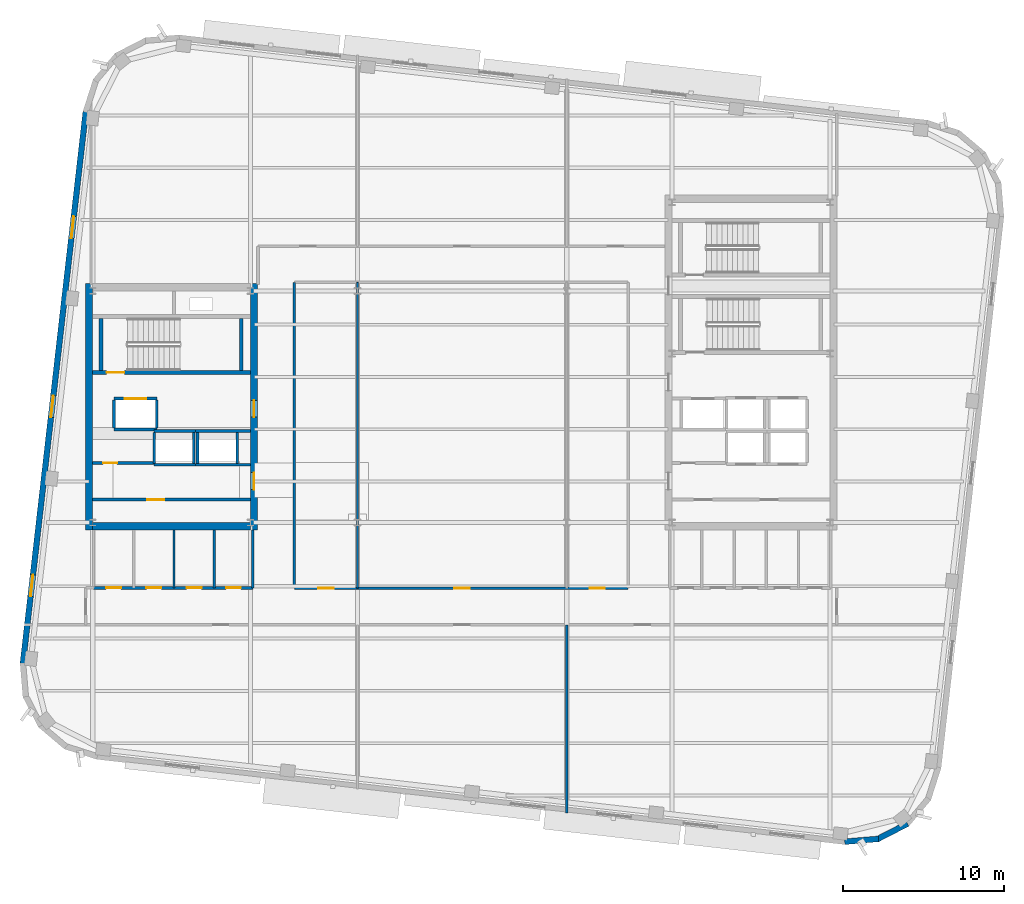
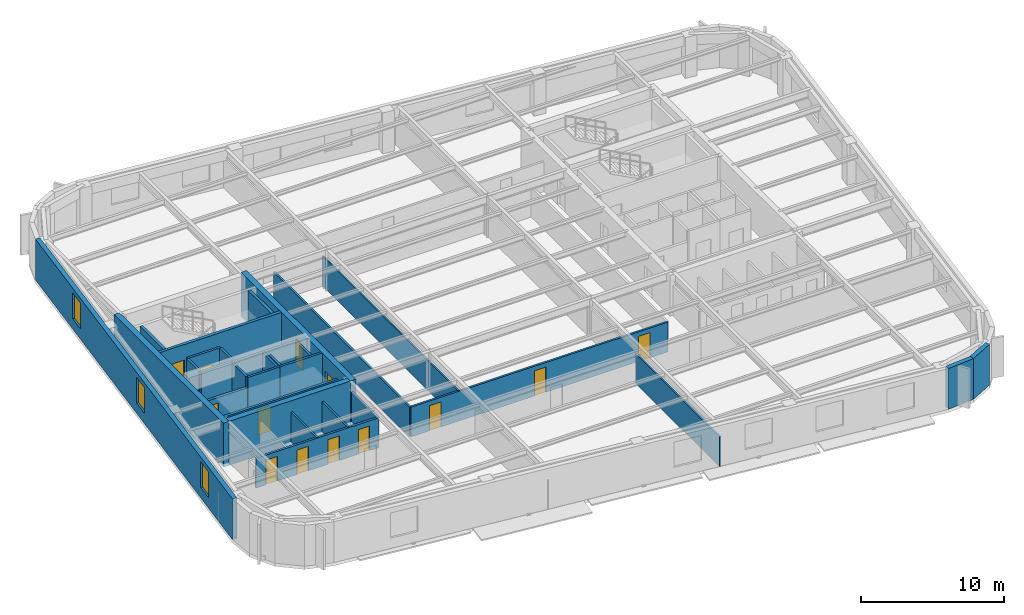
# One storey, part 6 of 14: 31 walls, 13 doors, 3 windows, 16 openings.
"""IFC4 building model written with IfcOpenShell, lengths in metres."""

import ifcopenshell
import ifcopenshell.guid

model = None  # the IFC model being written
_history = None  # IfcOwnerHistory: only IFC2X3 demands one
_inside = {}  # id of a spatial element -> (the spatial element, [elements in it])
_under = {}  # id of a project, library or spatial element -> (it, [spatial elements below it])
_declared = {}  # id of a project -> (the project, [libraries it declares])
_typed = {}  # id of a type object -> (the type object, [elements of that type])
_made_of = {}  # id of a material, layer set ... -> (it, [elements and type objects made of it])


def new_model(schema):
    """Start an empty IFC model of exactly this schema.

    Asked for "IFC4X3", IfcOpenShell would pick the latest addendum, in which some entities
    have other attributes; the version numbers below select the first issue.
    IFC2X3 requires an IfcOwnerHistory on every rooted entity: one is made here for all.
    """
    global model, _history
    if schema == "IFC4X3":
        model = ifcopenshell.file(schema_version=(4, 3, 0, 0))
    else:
        model = ifcopenshell.file(schema=schema)
    _inside.clear()
    _under.clear()
    _declared.clear()
    _typed.clear()
    _made_of.clear()
    _history = None
    if model.schema == "IFC2X3":
        org = make("IfcOrganization", Name="unknown")
        user = make(
            "IfcPersonAndOrganization",
            ThePerson=make("IfcPerson", FamilyName="unknown"),
            TheOrganization=org,
        )
        app = make(
            "IfcApplication",
            ApplicationDeveloper=org,
            Version="unknown",
            ApplicationFullName="unknown",
            ApplicationIdentifier="unknown",
        )
        _history = make(
            "IfcOwnerHistory",
            OwningUser=user,
            OwningApplication=app,
            ChangeAction="ADDED",
            CreationDate=0,
        )
    return model


def make(cls, **values):
    """One entity of the class cls with the attributes given. An attribute that is None is left unset."""
    return model.create_entity(
        cls, **{name: value for name, value in values.items() if value is not None}
    )


def rooted(cls, **values):
    """An entity with a GlobalId (a new one), such as an element, a storey or a relation."""
    return make(cls, GlobalId=ifcopenshell.guid.new(), OwnerHistory=_history, **values)


def si_unit(unit_type, name, prefix=None):
    """IfcSIUnit, for example si_unit("LENGTHUNIT", "METRE", prefix="MILLI")."""
    return make("IfcSIUnit", UnitType=unit_type, Prefix=prefix, Name=name)


def assignment(units):
    """IfcUnitAssignment: the units of a project."""
    return None if units is None else make("IfcUnitAssignment", Units=units)


def point(xyz):
    """IfcCartesianPoint."""
    return None if xyz is None else make("IfcCartesianPoint", Coordinates=xyz)


def direction(xyz):
    """IfcDirection."""
    return None if xyz is None else make("IfcDirection", DirectionRatios=xyz)


def frame(location, z_axis=None, x_axis=None):
    """IfcAxis2Placement3D, a coordinate frame: its origin and axes. An axis left out is left unset."""
    return make(
        "IfcAxis2Placement3D",
        Location=point(location),
        Axis=direction(z_axis),
        RefDirection=direction(x_axis),
    )


def frame_2d(location, x_axis=None):
    """IfcAxis2Placement2D, a coordinate frame in the plane: its origin and x axis."""
    return make(
        "IfcAxis2Placement2D", Location=point(location), RefDirection=direction(x_axis)
    )


def origin():
    """The frame at (0, 0, 0) with its axes left unset."""
    return frame((0.0, 0.0, 0.0))


def place(relative_to, where):
    """IfcLocalPlacement: puts the frame where relative to a parent placement (None: the world)."""
    return make(
        "IfcLocalPlacement", PlacementRelTo=relative_to, RelativePlacement=where
    )


def context(
    kind, dimensions, precision=None, world=None, true_north=None, identifier=None
):
    """IfcGeometricRepresentationContext, for example the 3D "Model" context."""
    return make(
        "IfcGeometricRepresentationContext",
        ContextIdentifier=identifier,
        ContextType=kind,
        CoordinateSpaceDimension=dimensions,
        Precision=precision,
        WorldCoordinateSystem=world,
        TrueNorth=true_north,
    )


def subcontext(parent, identifier, kind, view, scale=None):
    """IfcGeometricRepresentationSubContext, for example "Body" below "Model"."""
    return make(
        "IfcGeometricRepresentationSubContext",
        ContextIdentifier=identifier,
        ContextType=kind,
        ParentContext=parent,
        TargetScale=scale,
        TargetView=view,
    )


def project(units=None, contexts=None):
    """IfcProject with its units and contexts."""
    return rooted(
        "IfcProject",
        Name="project",
        RepresentationContexts=contexts,
        UnitsInContext=assignment(units),
    )


def spatial(cls, under=None, at=None, **own):
    """A site, building, storey or space (cls), placed at a placement, below another one or the project."""
    s = rooted(cls, ObjectPlacement=at, **own)
    if under is not None:
        _under.setdefault(under.id(), (under, []))[1].append(s)
    return s


def profile(cls, at=None, kind="AREA", **sizes):
    """A parametric profile (cls). Its sizes go by their IFC names, for example OverallWidth=200.0."""
    return make(cls, ProfileType=kind, Position=at, **sizes)


def rectangle(**sizes):
    """IfcRectangleProfileDef."""
    return profile("IfcRectangleProfileDef", **sizes)


def extrude(swept, where, along, depth):
    """IfcExtrudedAreaSolid: the profile swept, set in the frame where, extruded along a direction by depth."""
    return make(
        "IfcExtrudedAreaSolid",
        SweptArea=swept,
        Position=where,
        ExtrudedDirection=direction(along),
        Depth=depth,
    )


def shape(context_of_items, identifier, shape_type, items):
    """IfcShapeRepresentation: the items that make up one representation, for example the "Body"."""
    return make(
        "IfcShapeRepresentation",
        ContextOfItems=context_of_items,
        RepresentationIdentifier=identifier,
        RepresentationType=shape_type,
        Items=items,
    )


def material(Name=None, Category=None):
    """IfcMaterial."""
    return make("IfcMaterial", Name=Name, Category=Category)


def layer(
    of_material, thickness, ventilated=None, Name=None, Category=None, Priority=None
):
    """IfcMaterialLayer: one layer of a wall or slab, of a material (None: an air gap)."""
    return make(
        "IfcMaterialLayer",
        Material=of_material,
        LayerThickness=thickness,
        IsVentilated=ventilated,
        Name=Name,
        Category=Category,
        Priority=Priority,
    )


def layer_set(layers, Name=None):
    """IfcMaterialLayerSet."""
    return make("IfcMaterialLayerSet", MaterialLayers=layers, LayerSetName=Name)


def made_of(thing, what):
    """Note that an element or type object is made of a material, layer set ...; save() writes the relation."""
    if what is not None:
        _made_of.setdefault(what.id(), (what, []))[1].append(thing)
    return thing


def type_object(cls, material=None, **own):
    """A type object (cls), such as IfcWallType, which elements share."""
    return made_of(rooted(cls, **own), material)


def element(
    cls,
    number,
    at=None,
    inside=None,
    cuts=None,
    type_object=None,
    material=None,
    context=None,
    identifier="Body",
    shape_type=None,
    held_by="IfcProductDefinitionShape",
    body=None,
    shapes=None,
    **own,
):
    """One element of the class cls, such as IfcWall. Its Tag is "e" and its number.

    at: its placement. inside: the storey or other place that contains it. cuts: it is an
    opening in that element (IfcRelVoidsElement). A single representation is given by context,
    identifier, shape_type and body (its items); several are given by shapes. held_by: the class
    of the entity that holds the representations. save() writes the other relations.
    """
    e = rooted(cls, Tag="e%d" % number, ObjectPlacement=at, **own)
    if body is not None:
        shapes = [shape(context, identifier, shape_type, body)]
    if shapes is not None:
        e.Representation = make(held_by, Representations=shapes)
    if inside is not None:
        _inside.setdefault(inside.id(), (inside, []))[1].append(e)
    if cuts is not None:
        rooted(
            "IfcRelVoidsElement", RelatingBuildingElement=cuts, RelatedOpeningElement=e
        )
    if type_object is not None:
        _typed.setdefault(type_object.id(), (type_object, []))[1].append(e)
    return made_of(e, material)


def fill(opening, filler):
    """IfcRelFillsElement: the door or window that sits in an opening."""
    return rooted(
        "IfcRelFillsElement",
        RelatingOpeningElement=opening,
        RelatedBuildingElement=filler,
    )


def aggregate(whole, parts):
    """IfcRelAggregates: a whole, such as a stair, and the parts it consists of."""
    return rooted("IfcRelAggregates", RelatingObject=whole, RelatedObjects=parts)


def save(model, path):
    """Write the relations noted so far, then the file.

    IfcRelAggregates (storeys below a building ...), IfcRelContainedInSpatialStructure (elements
    in a storey), IfcRelDefinesByType, IfcRelAssociatesMaterial and IfcRelDeclares: one each for
    every whole, place, type object, material and project.
    """
    for whole, parts in _under.values():
        aggregate(whole, parts)
    for where, things in _inside.values():
        rooted(
            "IfcRelContainedInSpatialStructure",
            RelatedElements=things,
            RelatingStructure=where,
        )
    for kind, things in _typed.values():
        rooted("IfcRelDefinesByType", RelatedObjects=things, RelatingType=kind)
    for what, things in _made_of.values():
        rooted("IfcRelAssociatesMaterial", RelatedObjects=things, RelatingMaterial=what)
    for by, libraries in _declared.values():
        rooted("IfcRelDeclares", RelatingContext=by, RelatedDefinitions=libraries)
    model.write(path)


model = new_model("IFC4")

# Units and contexts
model_context = context("Model", 3, precision=1e-05, world=origin(), true_north=direction((0.0, 1.0)))
body_context = subcontext(model_context, "Body", "Model", "MODEL_VIEW")
ifc_project = project(units=[si_unit("LENGTHUNIT", "METRE"), si_unit("AREAUNIT", "SQUARE_METRE"), si_unit("VOLUMEUNIT", "CUBIC_METRE"), si_unit("PLANEANGLEUNIT", "RADIAN"), si_unit("MASSUNIT", "GRAM", prefix="KILO")], contexts=[model_context])

# Site, building, storey
site_placement = place(None, origin())
site = spatial("IfcSite", under=ifc_project, at=site_placement, CompositionType="ELEMENT")
building_placement = place(site_placement, origin())
building = spatial("IfcBuilding", under=site, at=building_placement, Name="Kolvaren Arena Tower", CompositionType="ELEMENT")
storey_placement = place(building_placement, frame((0.0, 0.0, 235.949951171875)))
storey = spatial("IfcBuildingStorey", under=building, at=storey_placement, Name="L57", CompositionType="ELEMENT", Elevation=235.949951171875)

# Wall, openings, doors
ifc_material_1 = material(Name="Gypsum board acoustic assembly", Category="gypsum")
ifc_layer_1 = layer(ifc_material_1, 0.159912109375)
ifc_layer_set_1 = layer_set([ifc_layer_1], Name="Gypsum board acoustic assembly")
wall_type_1 = type_object("IfcWallType", Name="CORR-160", PredefinedType="PARTITIONING", material=ifc_layer_set_1)
wall_1_placement = place(storey_placement, frame((27.080078125, 15.3798828125, 0.0), z_axis=(0.0, 0.0, 1.0), x_axis=(1.0, 0.0, 0.0)))
wall_1 = element("IfcWall", 1, at=wall_1_placement, inside=storey, type_object=wall_type_1, Name="Interior Partition Wall (L57)", PredefinedType="PARTITIONING", context=body_context, shape_type="SweptSolid", body=[
    extrude(rectangle(XDim=20.739990234375, YDim=0.159912109375, at=frame_2d((10.3701171875, 0.0))), origin(), (0.0, 0.0, 1.0), 2.5400390625),
])
opening_1_placement = place(wall_1_placement, frame((1.4951171875, 0.0, 0.0)))
opening_1 = element("IfcOpeningElement", 2, at=opening_1_placement, cuts=wall_1, Name="Opening D05", PredefinedType="OPENING", context=body_context, shape_type="SweptSolid", body=[
    extrude(rectangle(XDim=0.949951171875, YDim=2.14990234375, at=frame_2d((0.47509765625, 1.074951171875))), frame((0.0, 0.08984375, 0.0), z_axis=(0.0, -1.0, 0.0), x_axis=(1.0, 0.0, 0.0)), (0.0, 0.0, 1.0), 0.179931640625),
])
opening_2_placement = place(wall_1_placement, frame((9.945068359375, 0.0, 0.0)))
opening_2 = element("IfcOpeningElement", 3, at=opening_2_placement, cuts=wall_1, Name="Opening D05", PredefinedType="OPENING", context=body_context, shape_type="SweptSolid", body=[
    extrude(rectangle(XDim=0.949951171875, YDim=2.14990234375, at=frame_2d((0.47509765625, 1.074951171875))), frame((0.0, 0.08984375, 0.0), z_axis=(0.0, -1.0, 0.0), x_axis=(1.0, 0.0, 0.0)), (0.0, 0.0, 1.0), 0.179931640625),
])
opening_3_placement = place(wall_1_placement, frame((18.344970703125, 0.0, 0.0)))
opening_3 = element("IfcOpeningElement", 4, at=opening_3_placement, cuts=wall_1, Name="Opening D05", PredefinedType="OPENING", context=body_context, shape_type="SweptSolid", body=[
    extrude(rectangle(XDim=0.949951171875, YDim=2.14990234375, at=frame_2d((0.47509765625, 1.074951171875))), frame((0.0, 0.08984375, 0.0), z_axis=(0.0, -1.0, 0.0), x_axis=(1.0, 0.0, 0.0)), (0.0, 0.0, 1.0), 0.179931640625),
])
ifc_material_2 = material(Name="Solid-core oak acoustic office door", Category="wood")
door_type_1 = type_object("IfcDoorType", Name="DOOR-OF-095", OperationType="NOTDEFINED", PredefinedType="DOOR", material=ifc_material_2)
door_1_placement = place(opening_1_placement, origin())
door_1 = element("IfcDoor", 5, at=door_1_placement, inside=storey, type_object=door_type_1, Name="Open Plan Office Door (L57)", OperationType="SINGLE_SWING_LEFT", OverallHeight=2.14990234375, OverallWidth=0.949951171875, PredefinedType="DOOR", context=body_context, shape_type="SweptSolid", body=[
    extrude(rectangle(XDim=0.949951171875, YDim=2.14990234375, at=frame_2d((0.47509765625, 1.074951171875))), frame((0.0, 0.02490234375, 0.0), z_axis=(0.0, -1.0, 0.0), x_axis=(1.0, 0.0, 0.0)), (0.0, 0.0, 1.0), 0.050048828125),
])
fill(opening_1, door_1)
door_2_placement = place(opening_2_placement, origin())
door_2 = element("IfcDoor", 6, at=door_2_placement, inside=storey, type_object=door_type_1, Name="Open Plan Office Door (L57)", OperationType="SINGLE_SWING_RIGHT", OverallHeight=2.14990234375, OverallWidth=0.949951171875, PredefinedType="DOOR", context=body_context, shape_type="SweptSolid", body=[
    extrude(rectangle(XDim=0.949951171875, YDim=2.14990234375, at=frame_2d((0.47509765625, 1.074951171875))), frame((0.0, 0.02490234375, 0.0), z_axis=(0.0, -1.0, 0.0), x_axis=(1.0, 0.0, 0.0)), (0.0, 0.0, 1.0), 0.050048828125),
])
fill(opening_2, door_2)
door_3_placement = place(opening_3_placement, origin())
door_3 = element("IfcDoor", 7, at=door_3_placement, inside=storey, type_object=door_type_1, Name="Meeting Room Door (L57)", OperationType="SINGLE_SWING_LEFT", OverallHeight=2.14990234375, OverallWidth=0.949951171875, PredefinedType="DOOR", context=body_context, shape_type="SweptSolid", body=[
    extrude(rectangle(XDim=0.949951171875, YDim=2.14990234375, at=frame_2d((0.47509765625, 1.074951171875))), frame((0.0, 0.02490234375, 0.0), z_axis=(0.0, -1.0, 0.0), x_axis=(1.0, 0.0, 0.0)), (0.0, 0.0, 1.0), 0.050048828125),
])
fill(opening_3, door_3)

# Walls
wall_2_placement = place(storey_placement, frame((27.080078125, 15.3798828125, 0.0), z_axis=(0.0, 0.0, 1.0), x_axis=(0.0, 1.0, 0.0)))
element("IfcWall", 8, at=wall_2_placement, inside=storey, type_object=wall_type_1, Name="Interior Partition Wall (L57)", PredefinedType="PARTITIONING", context=body_context, shape_type="SweptSolid", body=[
    extrude(rectangle(XDim=19.0, YDim=0.159912109375, at=frame_2d((9.5, 0.0))), origin(), (0.0, 0.0, 1.0), 2.5400390625),
])
ifc_material_3 = material(Name="Concrete 55 MPa", Category="concrete")
ifc_layer_2 = layer(ifc_material_3, 0.449951171875)
ifc_layer_set_2 = layer_set([ifc_layer_2], Name="Concrete 55 MPa")
wall_type_2 = type_object("IfcWallType", Name="CWALL-450", PredefinedType="SHEAR", material=ifc_layer_set_2)
wall_3_placement = place(storey_placement, frame((14.324951171875, 19.0, -0.27001953125), z_axis=(0.0, 0.0, 1.0), x_axis=(0.0, 1.0, 0.0)))
element("IfcWall", 9, at=wall_3_placement, inside=storey, type_object=wall_type_2, Name="Core Shear Wall WC-WEST (L57)", PredefinedType="SHEAR", context=body_context, shape_type="SweptSolid", body=[
    extrude(rectangle(XDim=15.300048828125, YDim=0.449951171875, at=frame_2d((7.64990234375, 0.0))), origin(), (0.0, 0.0, 1.0), 3.75),
])

# Wall, openings, doors
wall_4_placement = place(storey_placement, frame((24.574951171875, 19.0, -0.27001953125), z_axis=(0.0, 0.0, 1.0), x_axis=(0.0, 1.0, 0.0)))
wall_4 = element("IfcWall", 10, at=wall_4_placement, inside=storey, type_object=wall_type_2, Name="Core Shear Wall WC-EAST (L57)", PredefinedType="SHEAR", context=body_context, shape_type="SweptSolid", body=[
    extrude(rectangle(XDim=15.300048828125, YDim=0.449951171875, at=frame_2d((7.64990234375, 0.0))), origin(), (0.0, 0.0, 1.0), 3.75),
])
opening_4_placement = place(wall_4_placement, frame((2.5, 0.0, 0.27001953125)))
opening_4 = element("IfcOpeningElement", 11, at=opening_4_placement, cuts=wall_4, Name="Opening D04", PredefinedType="OPENING", context=body_context, shape_type="SweptSolid", body=[
    extrude(rectangle(XDim=1.050048828125, YDim=2.14990234375, at=frame_2d((0.52490234375, 1.074951171875))), frame((0.0, 0.23486328125, 0.0), z_axis=(0.0, -1.0, 0.0), x_axis=(1.0, 0.0, 0.0)), (0.0, 0.0, 1.0), 0.469970703125),
])
opening_5_placement = place(wall_4_placement, frame((7.0, 0.0, 0.27001953125)))
opening_5 = element("IfcOpeningElement", 12, at=opening_5_placement, cuts=wall_4, Name="Opening D04", PredefinedType="OPENING", context=body_context, shape_type="SweptSolid", body=[
    extrude(rectangle(XDim=1.050048828125, YDim=2.14990234375, at=frame_2d((0.52490234375, 1.074951171875))), frame((0.0, 0.23486328125, 0.0), z_axis=(0.0, -1.0, 0.0), x_axis=(1.0, 0.0, 0.0)), (0.0, 0.0, 1.0), 0.469970703125),
])
ifc_material_4 = material(Name="Fire-rated steel lobby door", Category="steel")
door_type_2 = type_object("IfcDoorType", Name="DOOR-FF-105", OperationType="NOTDEFINED", PredefinedType="DOOR", material=ifc_material_4)
door_4_placement = place(opening_4_placement, origin())
door_4 = element("IfcDoor", 13, at=door_4_placement, inside=storey, type_object=door_type_2, Name="West Lift Lobby Fire Door (L57)", OperationType="SINGLE_SWING_LEFT", OverallHeight=2.14990234375, OverallWidth=1.050048828125, PredefinedType="DOOR", context=body_context, shape_type="SweptSolid", body=[
    extrude(rectangle(XDim=1.050048828125, YDim=2.14990234375, at=frame_2d((0.52490234375, 1.074951171875))), frame((0.0, 0.02490234375, 0.0), z_axis=(0.0, -1.0, 0.0), x_axis=(1.0, 0.0, 0.0)), (0.0, 0.0, 1.0), 0.050048828125),
])
fill(opening_4, door_4)
door_5_placement = place(opening_5_placement, origin())
door_5 = element("IfcDoor", 14, at=door_5_placement, inside=storey, type_object=door_type_2, Name="West Firefighter Vestibule Door (L57)", OperationType="SINGLE_SWING_RIGHT", OverallHeight=2.14990234375, OverallWidth=1.050048828125, PredefinedType="DOOR", context=body_context, shape_type="SweptSolid", body=[
    extrude(rectangle(XDim=1.050048828125, YDim=2.14990234375, at=frame_2d((0.52490234375, 1.074951171875))), frame((0.0, 0.02490234375, 0.0), z_axis=(0.0, -1.0, 0.0), x_axis=(1.0, 0.0, 0.0)), (0.0, 0.0, 1.0), 0.050048828125),
])
fill(opening_5, door_5)

# Walls
wall_5_placement = place(storey_placement, frame((14.550048828125, 19.22509765625, -0.27001953125), z_axis=(0.0, 0.0, 1.0), x_axis=(1.0, 0.0, 0.0)))
element("IfcWall", 15, at=wall_5_placement, inside=storey, type_object=wall_type_2, Name="Core Shear Wall WC-SOUTH (L57)", PredefinedType="SHEAR", context=body_context, shape_type="SweptSolid", body=[
    extrude(rectangle(XDim=9.800048828125, YDim=0.449951171875, at=frame_2d((4.89990234375, 0.0))), origin(), (0.0, 0.0, 1.0), 3.75),
])
ifc_material_5 = material(Name="Precast concrete C50/60", Category="concrete")
ifc_layer_3 = layer(ifc_material_5, 0.360107421875)
ifc_layer_set_3 = layer_set([ifc_layer_3], Name="Precast concrete C50/60")
wall_type_3 = type_object("IfcWallType", Name="EXT-PIER2", PredefinedType="SOLIDWALL", material=ifc_layer_set_3)
wall_6_placement = place(storey_placement, frame((63.370361328125, -0.199462890625, 0.0), z_axis=(0.0, 0.0, 1.0), x_axis=(-0.996562518477, -0.082844111233, 0.0)))
element("IfcWall", 16, at=wall_6_placement, inside=storey, type_object=wall_type_3, Name="Exterior Precast Masonry-Frame Wall (L57)", PredefinedType="SOLIDWALL", context=body_context, shape_type="SweptSolid", body=[
    extrude(rectangle(XDim=2.107177734375, YDim=0.360107421875, at=frame_2d((1.0537109375, 0.0))), origin(), (0.0, 0.0, 1.0), 3.47998046875),
])
wall_7_placement = place(storey_placement, frame((65.176025390625, 0.745849609375, 0.0), z_axis=(0.0, 0.0, 1.0), x_axis=(-0.888985992199, -0.457934390142, 0.0)))
element("IfcWall", 17, at=wall_7_placement, inside=storey, type_object=wall_type_3, Name="Exterior Precast Masonry-Frame Wall (L57)", PredefinedType="SOLIDWALL", context=body_context, shape_type="SweptSolid", body=[
    extrude(rectangle(XDim=2.10693359375, YDim=0.360107421875, at=frame_2d((1.053466796875, 0.0))), origin(), (0.0, 0.0, 1.0), 3.47998046875),
])

# Wall, openings, windows
wall_8_placement = place(storey_placement, frame((10.211181640625, 10.70068359375, 0.0), z_axis=(0.0, 0.0, 1.0), x_axis=(0.113203107947, 0.993571867733, 0.0)))
wall_8 = element("IfcWall", 18, at=wall_8_placement, inside=storey, type_object=wall_type_3, Name="Exterior Precast Masonry-Frame Wall (L57)", PredefinedType="SOLIDWALL", context=body_context, shape_type="SweptSolid", body=[
    extrude(rectangle(XDim=34.5, YDim=0.360107421875, at=frame_2d((17.25, 0.0))), origin(), (0.0, 0.0, 1.0), 3.47998046875),
])
opening_6_placement = place(wall_8_placement, frame((4.199951171875, 0.0, 0.8798828125)))
opening_6 = element("IfcOpeningElement", 19, at=opening_6_placement, cuts=wall_8, Name="Opening W04", PredefinedType="OPENING", context=body_context, shape_type="SweptSolid", body=[
    extrude(rectangle(XDim=1.35009765625, YDim=2.199951171875, at=frame_2d((0.675048828125, 1.10009765625))), frame((0.0, 0.18994140625, 0.0), z_axis=(0.0, -1.0, 0.0), x_axis=(1.0, 0.0, 0.0)), (0.0, 0.0, 1.0), 0.380126953125),
])
opening_7_placement = place(wall_8_placement, frame((15.39990234375, 0.0, 0.8798828125)))
opening_7 = element("IfcOpeningElement", 20, at=opening_7_placement, cuts=wall_8, Name="Opening W04", PredefinedType="OPENING", context=body_context, shape_type="SweptSolid", body=[
    extrude(rectangle(XDim=1.35009765625, YDim=2.199951171875, at=frame_2d((0.675048828125, 1.10009765625))), frame((0.0, 0.18994140625, 0.0), z_axis=(0.0, -1.0, 0.0), x_axis=(1.0, 0.0, 0.0)), (0.0, 0.0, 1.0), 0.380126953125),
])
opening_8_placement = place(wall_8_placement, frame((26.60009765625, 0.0, 0.8798828125)))
opening_8 = element("IfcOpeningElement", 21, at=opening_8_placement, cuts=wall_8, Name="Opening W04", PredefinedType="OPENING", context=body_context, shape_type="SweptSolid", body=[
    extrude(rectangle(XDim=1.35009765625, YDim=2.199951171875, at=frame_2d((0.675048828125, 1.10009765625))), frame((0.0, 0.18994140625, 0.0), z_axis=(0.0, -1.0, 0.0), x_axis=(1.0, 0.0, 0.0)), (0.0, 0.0, 1.0), 0.380126953125),
])
ifc_material_6 = material(Name="Triple-glazed curved-facet corner window", Category="glass")
window_type = type_object("IfcWindowType", Name="WIN-CRN-A", PartitioningType="SINGLE_PANEL", PredefinedType="WINDOW", material=ifc_material_6)
window_1_placement = place(opening_6_placement, origin())
window_1 = element("IfcWindow", 22, at=window_1_placement, inside=storey, type_object=window_type, Name="End-Wall Punched Window (L57)", OverallHeight=2.199951171875, OverallWidth=1.35009765625, PartitioningType="SINGLE_PANEL", PredefinedType="WINDOW", context=body_context, shape_type="SweptSolid", body=[
    extrude(rectangle(XDim=1.35009765625, YDim=2.199951171875, at=frame_2d((0.675048828125, 1.10009765625))), frame((0.0, 0.030029296875, 0.0), z_axis=(0.0, -1.0, 0.0), x_axis=(1.0, 0.0, 0.0)), (0.0, 0.0, 1.0), 0.06005859375),
])
fill(opening_6, window_1)
window_2_placement = place(opening_7_placement, origin())
window_2 = element("IfcWindow", 23, at=window_2_placement, inside=storey, type_object=window_type, Name="End-Wall Punched Window (L57)", OverallHeight=2.199951171875, OverallWidth=1.35009765625, PartitioningType="SINGLE_PANEL", PredefinedType="WINDOW", context=body_context, shape_type="SweptSolid", body=[
    extrude(rectangle(XDim=1.35009765625, YDim=2.199951171875, at=frame_2d((0.675048828125, 1.10009765625))), frame((0.0, 0.030029296875, 0.0), z_axis=(0.0, -1.0, 0.0), x_axis=(1.0, 0.0, 0.0)), (0.0, 0.0, 1.0), 0.06005859375),
])
fill(opening_7, window_2)
window_3_placement = place(opening_8_placement, origin())
window_3 = element("IfcWindow", 24, at=window_3_placement, inside=storey, type_object=window_type, Name="End-Wall Punched Window (L57)", OverallHeight=2.199951171875, OverallWidth=1.35009765625, PartitioningType="SINGLE_PANEL", PredefinedType="WINDOW", context=body_context, shape_type="SweptSolid", body=[
    extrude(rectangle(XDim=1.35009765625, YDim=2.199951171875, at=frame_2d((0.675048828125, 1.10009765625))), frame((0.0, 0.030029296875, 0.0), z_axis=(0.0, -1.0, 0.0), x_axis=(1.0, 0.0, 0.0)), (0.0, 0.0, 1.0), 0.06005859375),
])
fill(opening_8, window_3)

# Wall, opening, door
ifc_material_7 = material(Name="Concrete 40 MPa", Category="concrete")
ifc_layer_4 = layer(ifc_material_7, 0.199951171875)
ifc_layer_set_4 = layer_set([ifc_layer_4], Name="Concrete 40 MPa")
wall_type_4 = type_object("IfcWallType", Name="LOBBY-200", PredefinedType="SOLIDWALL", material=ifc_layer_set_4)
wall_9_placement = place(storey_placement, frame((14.550048828125, 20.8798828125, 0.0), z_axis=(0.0, 0.0, 1.0), x_axis=(1.0, 0.0, 0.0)))
wall_9 = element("IfcWall", 25, at=wall_9_placement, inside=storey, type_object=wall_type_4, Name="Core Shaft Wall (L57)", PredefinedType="SOLIDWALL", context=body_context, shape_type="SweptSolid", body=[
    extrude(rectangle(XDim=9.800048828125, YDim=0.199951171875, at=frame_2d((4.89990234375, 0.0))), origin(), (0.0, 0.0, 1.0), 2.5400390625),
])
opening_9_placement = place(wall_9_placement, frame((3.39990234375, 0.0, 0.0)))
opening_9 = element("IfcOpeningElement", 26, at=opening_9_placement, cuts=wall_9, Name="Opening D04", PredefinedType="OPENING", context=body_context, shape_type="SweptSolid", body=[
    extrude(rectangle(XDim=1.050048828125, YDim=2.14990234375, at=frame_2d((0.52490234375, 1.074951171875))), frame((0.0, 0.10986328125, 0.0), z_axis=(0.0, -1.0, 0.0), x_axis=(1.0, 0.0, 0.0)), (0.0, 0.0, 1.0), 0.219970703125),
])
door_6_placement = place(opening_9_placement, origin())
door_6 = element("IfcDoor", 27, at=door_6_placement, inside=storey, type_object=door_type_2, Name="West IT Room Fire Door (L57)", OperationType="SINGLE_SWING_LEFT", OverallHeight=2.14990234375, OverallWidth=1.050048828125, PredefinedType="DOOR", context=body_context, shape_type="SweptSolid", body=[
    extrude(rectangle(XDim=1.050048828125, YDim=2.14990234375, at=frame_2d((0.52490234375, 1.074951171875))), frame((0.0, 0.02490234375, 0.0), z_axis=(0.0, -1.0, 0.0), x_axis=(1.0, 0.0, 0.0)), (0.0, 0.0, 1.0), 0.050048828125),
])
fill(opening_9, door_6)

wall_10_placement = place(storey_placement, frame((14.550048828125, 23.159912109375, 0.0), z_axis=(0.0, 0.0, 1.0), x_axis=(1.0, 0.0, 0.0)))
wall_10 = element("IfcWall", 28, at=wall_10_placement, inside=storey, type_object=wall_type_4, Name="Core Shaft Wall (L57)", PredefinedType="SOLIDWALL", context=body_context, shape_type="SweptSolid", body=[
    extrude(rectangle(XDim=3.820068359375, YDim=0.199951171875, at=frame_2d((1.91015625, 0.0))), origin(), (0.0, 0.0, 1.0), 2.5400390625),
])
opening_10_placement = place(wall_10_placement, frame((0.64990234375, 0.0, 0.0)))
opening_10 = element("IfcOpeningElement", 29, at=opening_10_placement, cuts=wall_10, Name="Opening D09", PredefinedType="OPENING", context=body_context, shape_type="SweptSolid", body=[
    extrude(rectangle(XDim=0.860107421875, YDim=2.050048828125, at=frame_2d((0.43017578125, 1.02490234375))), frame((0.0, 0.10986328125, 0.0), z_axis=(0.0, -1.0, 0.0), x_axis=(1.0, 0.0, 0.0)), (0.0, 0.0, 1.0), 0.219970703125),
])
ifc_material_8 = material(Name="Fire-rated steel riser access door", Category="steel")
door_type_3 = type_object("IfcDoorType", Name="DOOR-RS-086", OperationType="NOTDEFINED", PredefinedType="DOOR", material=ifc_material_8)
door_7_placement = place(opening_10_placement, origin())
door_7 = element("IfcDoor", 30, at=door_7_placement, inside=storey, type_object=door_type_3, Name="West Document Archive Riser Door (L57)", OperationType="SINGLE_SWING_RIGHT", OverallHeight=2.050048828125, OverallWidth=0.860107421875, PredefinedType="DOOR", context=body_context, shape_type="SweptSolid", body=[
    extrude(rectangle(XDim=0.860107421875, YDim=2.050048828125, at=frame_2d((0.43017578125, 1.02490234375))), frame((0.0, 0.02490234375, 0.0), z_axis=(0.0, -1.0, 0.0), x_axis=(1.0, 0.0, 0.0)), (0.0, 0.0, 1.0), 0.050048828125),
])
fill(opening_10, door_7)

# Walls
ifc_material_9 = material(Name="Gypsum board partition assembly", Category="gypsum")
ifc_layer_5 = layer(ifc_material_9, 0.114990234375)
ifc_layer_set_5 = layer_set([ifc_layer_5], Name="Gypsum board partition assembly")
wall_type_5 = type_object("IfcWallType", Name="PART-115", PredefinedType="PARTITIONING", material=ifc_layer_set_5)
wall_11_placement = place(storey_placement, frame((31.0, 15.3798828125, 0.0), z_axis=(0.0, 0.0, 1.0), x_axis=(0.0, 1.0, 0.0)))
element("IfcWall", 31, at=wall_11_placement, inside=storey, type_object=wall_type_5, Name="Interior Partition Wall (L57)", PredefinedType="PARTITIONING", context=body_context, shape_type="SweptSolid", body=[
    extrude(rectangle(XDim=19.0, YDim=0.114990234375, at=frame_2d((9.5, 0.0))), origin(), (0.0, 0.0, 1.0), 2.5400390625),
])
ifc_layer_6 = layer(ifc_material_9, 0.135009765625)
ifc_layer_set_6 = layer_set([ifc_layer_6], Name="Gypsum board partition assembly")
wall_type_6 = type_object("IfcWallType", Name="PART-135", PredefinedType="PARTITIONING", material=ifc_layer_set_6)
wall_12_placement = place(storey_placement, frame((44.0, 1.416015625, 0.0), z_axis=(0.0, 0.0, 1.0), x_axis=(0.0, 1.0, 0.0)))
element("IfcWall", 32, at=wall_12_placement, inside=storey, type_object=wall_type_6, Name="Interior Partition Wall (L57)", PredefinedType="PARTITIONING", context=body_context, shape_type="SweptSolid", body=[
    extrude(rectangle(XDim=11.68408203125, YDim=0.135009765625, at=frame_2d((5.842041015625, 0.0))), origin(), (0.0, 0.0, 1.0), 2.5400390625),
])

# Wall, opening, door
ifc_material_10 = material(Name="Concrete 45 MPa", Category="concrete")
ifc_layer_7 = layer(ifc_material_10, 0.25)
ifc_layer_set_7 = layer_set([ifc_layer_7], Name="Concrete 45 MPa")
wall_type_7 = type_object("IfcWallType", Name="SHAFT-250", PredefinedType="SOLIDWALL", material=ifc_layer_set_7)
wall_13_placement = place(storey_placement, frame((24.35009765625, 28.780029296875, 0.0), z_axis=(0.0, 0.0, 1.0), x_axis=(-1.0, 0.0, 0.0)))
wall_13 = element("IfcWall", 33, at=wall_13_placement, inside=storey, type_object=wall_type_7, Name="Core Shaft Wall (L57)", PredefinedType="SOLIDWALL", context=body_context, shape_type="SweptSolid", body=[
    extrude(rectangle(XDim=9.800048828125, YDim=0.239990234375, at=frame_2d((4.89990234375, 0.0))), origin(), (0.0, 0.0, 1.0), 3.47998046875),
])
opening_11_placement = place(wall_13_placement, frame((7.830078125, 0.0, 0.0)))
opening_11 = element("IfcOpeningElement", 34, at=opening_11_placement, cuts=wall_13, Name="Opening D03", PredefinedType="OPENING", context=body_context, shape_type="SweptSolid", body=[
    extrude(rectangle(XDim=1.10009765625, YDim=2.14990234375, at=frame_2d((0.550048828125, 1.074951171875))), frame((0.0, 0.1298828125, 0.0), z_axis=(0.0, -1.0, 0.0), x_axis=(1.0, 0.0, 0.0)), (0.0, 0.0, 1.0), 0.260009765625),
])
ifc_material_11 = material(Name="Fire-rated steel exit stair door", Category="steel")
door_type_4 = type_object("IfcDoorType", Name="DOOR-ST-110", OperationType="NOTDEFINED", PredefinedType="DOOR", material=ifc_material_11)
door_8_placement = place(opening_11_placement, origin())
door_8 = element("IfcDoor", 35, at=door_8_placement, inside=storey, type_object=door_type_4, Name="Stair ST-W1 Fire Door (L57)", OperationType="SINGLE_SWING_RIGHT", OverallHeight=2.14990234375, OverallWidth=1.10009765625, PredefinedType="DOOR", context=body_context, shape_type="SweptSolid", body=[
    extrude(rectangle(XDim=1.10009765625, YDim=2.14990234375, at=frame_2d((0.550048828125, 1.074951171875))), frame((0.0, 0.02490234375, 0.0), z_axis=(0.0, -1.0, 0.0), x_axis=(1.0, 0.0, 0.0)), (0.0, 0.0, 1.0), 0.050048828125),
])
fill(opening_11, door_8)

# Walls
for number, where, z_axis, x_axis, name in (
    (36, (15.06005859375, 28.89990234375, 0.0), (0.0, 0.0, 1.0), (0.0, 1.0, 0.0), "Core Shaft Wall (L57)"),
    (37, (23.780029296875, 28.89990234375, 0.0), (0.0, 0.0, 1.0), (0.0, 1.0, 0.0), "Core Shaft Wall (L57)"),
):
    element("IfcWall", number, at=place(storey_placement, frame(where, z_axis=z_axis, x_axis=x_axis)), inside=storey, type_object=wall_type_7, Name=name, PredefinedType="SOLIDWALL", context=body_context, shape_type="SweptSolid", body=[
        extrude(rectangle(XDim=3.22998046875, YDim=0.239990234375, at=frame_2d((1.614990234375, 0.0))), origin(), (0.0, 0.0, 1.0), 3.47998046875),
    ])
for number, where, z_axis, x_axis, name in (
    (38, (18.3701171875, 25.155029296875, 0.0), (0.0, 0.0, 1.0), (1.0, 0.0, 0.0), "Core Shaft Wall (L57)"),
    (39, (18.3701171875, 23.044921875, 0.0), (0.0, 0.0, 1.0), (1.0, 0.0, 0.0), "Core Shaft Wall (L57)"),
):
    element("IfcWall", number, at=place(storey_placement, frame(where, z_axis=z_axis, x_axis=x_axis)), inside=storey, type_object=wall_type_7, Name=name, PredefinedType="SOLIDWALL", context=body_context, shape_type="SweptSolid", body=[
        extrude(rectangle(XDim=2.579833984375, YDim=0.179931640625, at=frame_2d((1.2900390625, 0.0))), origin(), (0.0, 0.0, 1.0), 3.47998046875),
    ])
for number, where, z_axis, x_axis, name in (
    (40, (18.3701171875, 23.135009765625, 0.0), (0.0, 0.0, 1.0), (0.0, 1.0, 0.0), "Core Shaft Wall (L57)"),
    (41, (20.830078125, 23.135009765625, 0.0), (0.0, 0.0, 1.0), (0.0, 1.0, 0.0), "Core Shaft Wall (L57)"),
):
    element("IfcWall", number, at=place(storey_placement, frame(where, z_axis=z_axis, x_axis=x_axis)), inside=storey, type_object=wall_type_7, Name=name, PredefinedType="SOLIDWALL", context=body_context, shape_type="SweptSolid", body=[
        extrude(rectangle(XDim=1.929931640625, YDim=0.179931640625, at=frame_2d((0.96484375, 0.0))), origin(), (0.0, 0.0, 1.0), 3.47998046875),
    ])
for number, where, z_axis, x_axis, name in (
    (42, (20.949951171875, 25.155029296875, 0.0), (0.0, 0.0, 1.0), (1.0, 0.0, 0.0), "Core Shaft Wall (L57)"),
    (43, (20.949951171875, 23.044921875, 0.0), (0.0, 0.0, 1.0), (1.0, 0.0, 0.0), "Core Shaft Wall (L57)"),
):
    element("IfcWall", number, at=place(storey_placement, frame(where, z_axis=z_axis, x_axis=x_axis)), inside=storey, type_object=wall_type_7, Name=name, PredefinedType="SOLIDWALL", context=body_context, shape_type="SweptSolid", body=[
        extrude(rectangle(XDim=3.400146484375, YDim=0.179931640625, at=frame_2d((1.7001953125, 0.0))), origin(), (0.0, 0.0, 1.0), 3.47998046875),
    ])
for number, where, z_axis, x_axis, name in (
    (44, (21.070068359375, 23.135009765625, 0.0), (0.0, 0.0, 1.0), (0.0, 1.0, 0.0), "Core Shaft Wall (L57)"),
    (45, (23.530029296875, 23.135009765625, 0.0), (0.0, 0.0, 1.0), (0.0, 1.0, 0.0), "Core Shaft Wall (L57)"),
):
    element("IfcWall", number, at=place(storey_placement, frame(where, z_axis=z_axis, x_axis=x_axis)), inside=storey, type_object=wall_type_7, Name=name, PredefinedType="SOLIDWALL", context=body_context, shape_type="SweptSolid", body=[
        extrude(rectangle(XDim=1.929931640625, YDim=0.179931640625, at=frame_2d((0.96484375, 0.0))), origin(), (0.0, 0.0, 1.0), 3.47998046875),
    ])

# Wall, opening, door
wall_14_placement = place(storey_placement, frame((15.8701171875, 27.155029296875, 0.0), z_axis=(0.0, 0.0, 1.0), x_axis=(1.0, 0.0, 0.0)))
wall_14 = element("IfcWall", 46, at=wall_14_placement, inside=storey, type_object=wall_type_7, Name="Core Shaft Wall (L57)", PredefinedType="SOLIDWALL", context=body_context, shape_type="SweptSolid", body=[
    extrude(rectangle(XDim=2.659912109375, YDim=0.179931640625, at=frame_2d((1.330078125, 0.0))), origin(), (0.0, 0.0, 1.0), 3.47998046875),
])
opening_12_placement = place(wall_14_placement, frame((0.655029296875, 0.0, 0.0)))
opening_12 = element("IfcOpeningElement", 47, at=opening_12_placement, cuts=wall_14, Name="Opening LD2", PredefinedType="OPENING", context=body_context, shape_type="SweptSolid", body=[
    extrude(rectangle(XDim=1.35009765625, YDim=2.300048828125, at=frame_2d((0.675048828125, 1.14990234375))), frame((0.0, 0.099853515625, 0.0), z_axis=(0.0, -1.0, 0.0), x_axis=(1.0, 0.0, 0.0)), (0.0, 0.0, 1.0), 0.199951171875),
])
ifc_material_12 = material(Name="Stainless steel firefighter lift landing door", Category="steel")
door_type_5 = type_object("IfcDoorType", Name="DOOR-LD-135", OperationType="DOUBLE_DOOR_SLIDING", PredefinedType="DOOR", material=ifc_material_12)
door_9_placement = place(opening_12_placement, origin())
door_9 = element("IfcDoor", 48, at=door_9_placement, inside=storey, type_object=door_type_5, Name="Firefighter Lift FF-W1 Landing Door (L57)", OperationType="DOUBLE_DOOR_SLIDING", OverallHeight=2.300048828125, OverallWidth=1.35009765625, PredefinedType="DOOR", context=body_context, shape_type="SweptSolid", body=[
    extrude(rectangle(XDim=1.35009765625, YDim=2.300048828125, at=frame_2d((0.675048828125, 1.14990234375))), frame((0.0, 0.02490234375, 0.0), z_axis=(0.0, -1.0, 0.0), x_axis=(1.0, 0.0, 0.0)), (0.0, 0.0, 1.0), 0.050048828125),
])
fill(opening_12, door_9)

# Walls
wall_15_placement = place(storey_placement, frame((15.8701171875, 25.2451171875, 0.0), z_axis=(0.0, 0.0, 1.0), x_axis=(1.0, 0.0, 0.0)))
element("IfcWall", 49, at=wall_15_placement, inside=storey, type_object=wall_type_7, Name="Core Shaft Wall (L57)", PredefinedType="SOLIDWALL", context=body_context, shape_type="SweptSolid", body=[
    extrude(rectangle(XDim=2.659912109375, YDim=0.179931640625, at=frame_2d((1.330078125, 0.0))), origin(), (0.0, 0.0, 1.0), 3.47998046875),
])
for number, where, z_axis, x_axis, name in (
    (50, (15.8701171875, 25.3349609375, 0.0), (0.0, 0.0, 1.0), (0.0, 1.0, 0.0), "Core Shaft Wall (L57)"),
    (51, (18.530029296875, 25.3349609375, 0.0), (0.0, 0.0, 1.0), (0.0, 1.0, 0.0), "Core Shaft Wall (L57)"),
):
    element("IfcWall", number, at=place(storey_placement, frame(where, z_axis=z_axis, x_axis=x_axis)), inside=storey, type_object=wall_type_7, Name=name, PredefinedType="SOLIDWALL", context=body_context, shape_type="SweptSolid", body=[
        extrude(rectangle(XDim=1.72998046875, YDim=0.179931640625, at=frame_2d((0.864990234375, 0.0))), origin(), (0.0, 0.0, 1.0), 3.47998046875),
    ])
ifc_material_13 = material(Name="Moisture-resistant gypsum assembly", Category="gypsum")
ifc_layer_8 = layer(ifc_material_13, 0.14990234375)
ifc_layer_set_8 = layer_set([ifc_layer_8], Name="Moisture-resistant gypsum assembly")
wall_type_8 = type_object("IfcWallType", Name="WETW-150", PredefinedType="PARTITIONING", material=ifc_layer_set_8)
for number, where, z_axis, x_axis, name in (
    (52, (19.60009765625, 15.39990234375, 0.0), (0.0, 0.0, 1.0), (0.0, 1.0, 0.0), "Interior Partition Wall (L57)"),
    (53, (22.10009765625, 15.39990234375, 0.0), (0.0, 0.0, 1.0), (0.0, 1.0, 0.0), "Interior Partition Wall (L57)"),
):
    element("IfcWall", number, at=place(storey_placement, frame(where, z_axis=z_axis, x_axis=x_axis)), inside=storey, type_object=wall_type_8, Name=name, PredefinedType="PARTITIONING", context=body_context, shape_type="SweptSolid", body=[
        extrude(rectangle(XDim=3.580078125, YDim=0.14990234375, at=frame_2d((1.7900390625, 0.0))), origin(), (0.0, 0.0, 1.0), 2.5400390625),
    ])

# Wall, openings, doors
wall_16_placement = place(storey_placement, frame((14.60009765625, 15.39990234375, 0.0), z_axis=(0.0, 0.0, 1.0), x_axis=(1.0, 0.0, 0.0)))
wall_16 = element("IfcWall", 54, at=wall_16_placement, inside=storey, type_object=wall_type_8, Name="Interior Partition Wall (L57)", PredefinedType="PARTITIONING", context=body_context, shape_type="SweptSolid", body=[
    extrude(rectangle(XDim=9.89990234375, YDim=0.179931640625, at=frame_2d((4.949951171875, 0.0))), origin(), (0.0, 0.0, 1.0), 2.5400390625),
])
opening_13_placement = place(wall_16_placement, frame((0.7900390625, 0.0, 0.0)))
opening_13 = element("IfcOpeningElement", 55, at=opening_13_placement, cuts=wall_16, Name="Opening D07", PredefinedType="OPENING", context=body_context, shape_type="SweptSolid", body=[
    extrude(rectangle(XDim=0.919921875, YDim=2.10009765625, at=frame_2d((0.4599609375, 1.050048828125))), frame((0.0, 0.099853515625, 0.0), z_axis=(0.0, -1.0, 0.0), x_axis=(1.0, 0.0, 0.0)), (0.0, 0.0, 1.0), 0.199951171875),
])
opening_14_placement = place(wall_16_placement, frame((3.2900390625, 0.0, 0.0)))
opening_14 = element("IfcOpeningElement", 56, at=opening_14_placement, cuts=wall_16, Name="Opening D07", PredefinedType="OPENING", context=body_context, shape_type="SweptSolid", body=[
    extrude(rectangle(XDim=0.919921875, YDim=2.10009765625, at=frame_2d((0.4599609375, 1.050048828125))), frame((0.0, 0.099853515625, 0.0), z_axis=(0.0, -1.0, 0.0), x_axis=(1.0, 0.0, 0.0)), (0.0, 0.0, 1.0), 0.199951171875),
])
opening_15_placement = place(wall_16_placement, frame((5.7900390625, 0.0, 0.0)))
opening_15 = element("IfcOpeningElement", 57, at=opening_15_placement, cuts=wall_16, Name="Opening D07", PredefinedType="OPENING", context=body_context, shape_type="SweptSolid", body=[
    extrude(rectangle(XDim=0.919921875, YDim=2.10009765625, at=frame_2d((0.4599609375, 1.050048828125))), frame((0.0, 0.099853515625, 0.0), z_axis=(0.0, -1.0, 0.0), x_axis=(1.0, 0.0, 0.0)), (0.0, 0.0, 1.0), 0.199951171875),
])
opening_16_placement = place(wall_16_placement, frame((8.239990234375, 0.0, 0.0)))
opening_16 = element("IfcOpeningElement", 58, at=opening_16_placement, cuts=wall_16, Name="Opening D07", PredefinedType="OPENING", context=body_context, shape_type="SweptSolid", body=[
    extrude(rectangle(XDim=0.919921875, YDim=2.10009765625, at=frame_2d((0.4599609375, 1.050048828125))), frame((0.0, 0.099853515625, 0.0), z_axis=(0.0, -1.0, 0.0), x_axis=(1.0, 0.0, 0.0)), (0.0, 0.0, 1.0), 0.199951171875),
])
ifc_material_14 = material(Name="Laminate universal washroom door", Category="wood")
door_type_6 = type_object("IfcDoorType", Name="DOOR-WC-092", OperationType="NOTDEFINED", PredefinedType="DOOR", material=ifc_material_14)
door_10_placement = place(opening_13_placement, origin())
door_10 = element("IfcDoor", 59, at=door_10_placement, inside=storey, type_object=door_type_6, Name="Women Restroom Door (L57)", OperationType="SINGLE_SWING_LEFT", OverallHeight=2.10009765625, OverallWidth=0.919921875, PredefinedType="DOOR", context=body_context, shape_type="SweptSolid", body=[
    extrude(rectangle(XDim=0.919921875, YDim=2.10009765625, at=frame_2d((0.4599609375, 1.050048828125))), frame((0.0, 0.02490234375, 0.0), z_axis=(0.0, -1.0, 0.0), x_axis=(1.0, 0.0, 0.0)), (0.0, 0.0, 1.0), 0.050048828125),
])
fill(opening_13, door_10)
door_11_placement = place(opening_14_placement, origin())
door_11 = element("IfcDoor", 60, at=door_11_placement, inside=storey, type_object=door_type_6, Name="Men Restroom Door (L57)", OperationType="SINGLE_SWING_RIGHT", OverallHeight=2.10009765625, OverallWidth=0.919921875, PredefinedType="DOOR", context=body_context, shape_type="SweptSolid", body=[
    extrude(rectangle(XDim=0.919921875, YDim=2.10009765625, at=frame_2d((0.4599609375, 1.050048828125))), frame((0.0, 0.02490234375, 0.0), z_axis=(0.0, -1.0, 0.0), x_axis=(1.0, 0.0, 0.0)), (0.0, 0.0, 1.0), 0.050048828125),
])
fill(opening_14, door_11)
door_12_placement = place(opening_15_placement, origin())
door_12 = element("IfcDoor", 61, at=door_12_placement, inside=storey, type_object=door_type_6, Name="Universal Barrier-Free Washroom Door (L57)", OperationType="SINGLE_SWING_LEFT", OverallHeight=2.10009765625, OverallWidth=0.919921875, PredefinedType="DOOR", context=body_context, shape_type="SweptSolid", body=[
    extrude(rectangle(XDim=0.919921875, YDim=2.10009765625, at=frame_2d((0.4599609375, 1.050048828125))), frame((0.0, 0.02490234375, 0.0), z_axis=(0.0, -1.0, 0.0), x_axis=(1.0, 0.0, 0.0)), (0.0, 0.0, 1.0), 0.050048828125),
])
fill(opening_15, door_12)
door_13_placement = place(opening_16_placement, origin())
door_13 = element("IfcDoor", 62, at=door_13_placement, inside=storey, type_object=door_type_6, Name="Linen Store Door (L57)", OperationType="SINGLE_SWING_RIGHT", OverallHeight=2.10009765625, OverallWidth=0.919921875, PredefinedType="DOOR", context=body_context, shape_type="SweptSolid", body=[
    extrude(rectangle(XDim=0.919921875, YDim=2.10009765625, at=frame_2d((0.4599609375, 1.050048828125))), frame((0.0, 0.02490234375, 0.0), z_axis=(0.0, -1.0, 0.0), x_axis=(1.0, 0.0, 0.0)), (0.0, 0.0, 1.0), 0.050048828125),
])
fill(opening_16, door_13)

# Wall
wall_17_placement = place(storey_placement, frame((24.5, 15.39990234375, 0.0), z_axis=(0.0, 0.0, 1.0), x_axis=(0.0, 1.0, 0.0)))
element("IfcWall", 63, at=wall_17_placement, inside=storey, type_object=wall_type_8, Name="Interior Partition Wall (L57)", PredefinedType="PARTITIONING", context=body_context, shape_type="SweptSolid", body=[
    extrude(rectangle(XDim=3.580078125, YDim=0.14990234375, at=frame_2d((1.7900390625, 0.0))), origin(), (0.0, 0.0, 1.0), 2.5400390625),
])

save(model, "model.ifc")
